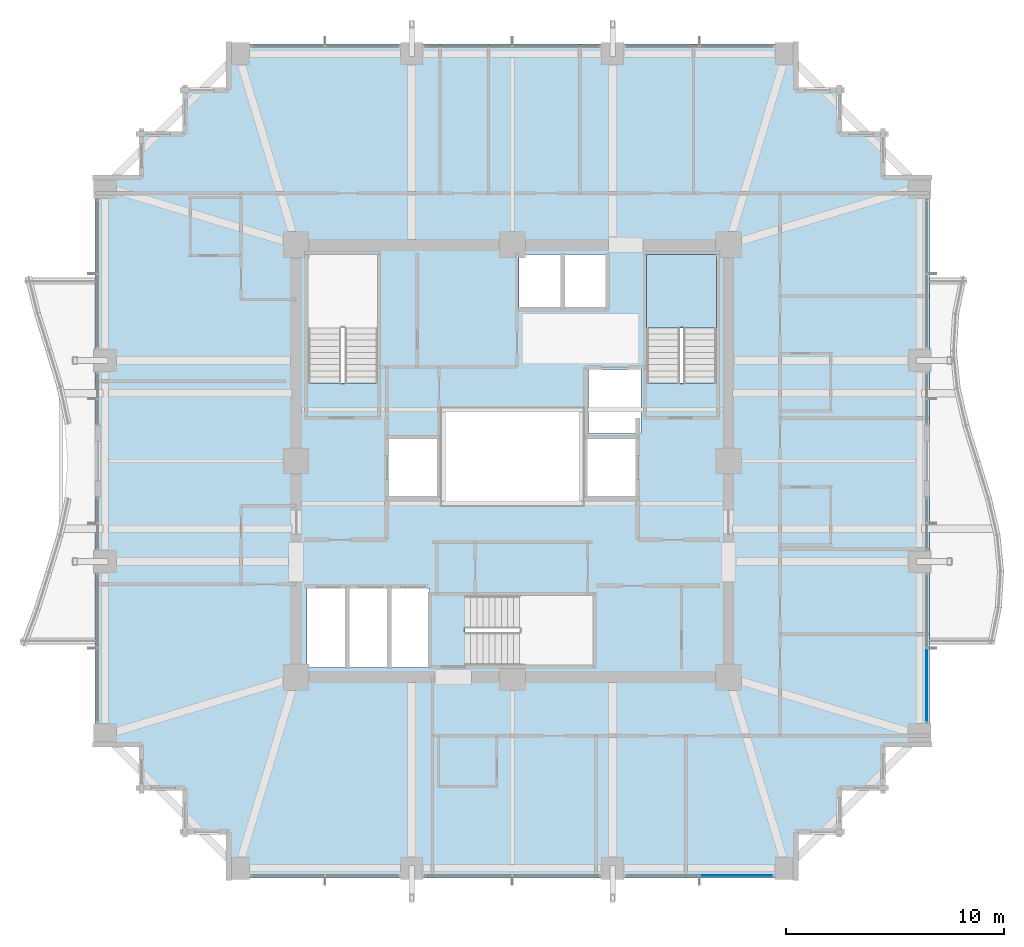
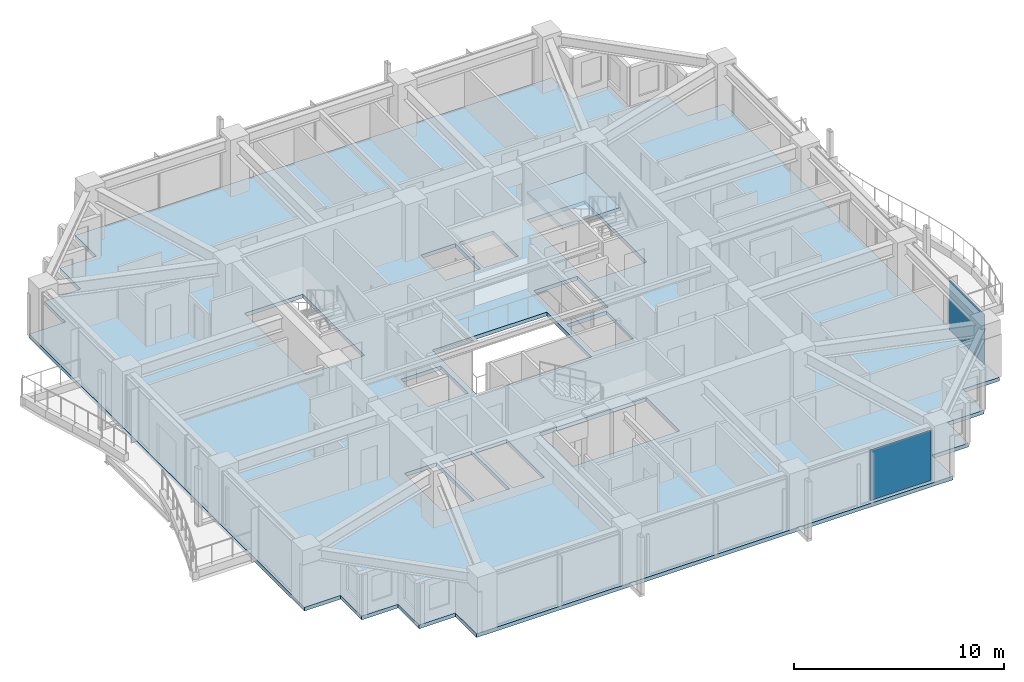
# One storey, part 26 of 35: 2 plates, 2 slabs, 3 elements without a shape of their own.
"""IFC4 building model written with IfcOpenShell, lengths in metres."""

import ifcopenshell
import ifcopenshell.guid

model = None  # the IFC model being written
_history = None  # IfcOwnerHistory: only IFC2X3 demands one
_inside = {}  # id of a spatial element -> (the spatial element, [elements in it])
_under = {}  # id of a project, library or spatial element -> (it, [spatial elements below it])
_declared = {}  # id of a project -> (the project, [libraries it declares])
_typed = {}  # id of a type object -> (the type object, [elements of that type])
_made_of = {}  # id of a material, layer set ... -> (it, [elements and type objects made of it])


def new_model(schema):
    """Start an empty IFC model of exactly this schema.

    Asked for "IFC4X3", IfcOpenShell would pick the latest addendum, in which some entities
    have other attributes; the version numbers below select the first issue.
    IFC2X3 requires an IfcOwnerHistory on every rooted entity: one is made here for all.
    """
    global model, _history
    if schema == "IFC4X3":
        model = ifcopenshell.file(schema_version=(4, 3, 0, 0))
    else:
        model = ifcopenshell.file(schema=schema)
    _inside.clear()
    _under.clear()
    _declared.clear()
    _typed.clear()
    _made_of.clear()
    _history = None
    if model.schema == "IFC2X3":
        org = make("IfcOrganization", Name="unknown")
        user = make(
            "IfcPersonAndOrganization",
            ThePerson=make("IfcPerson", FamilyName="unknown"),
            TheOrganization=org,
        )
        app = make(
            "IfcApplication",
            ApplicationDeveloper=org,
            Version="unknown",
            ApplicationFullName="unknown",
            ApplicationIdentifier="unknown",
        )
        _history = make(
            "IfcOwnerHistory",
            OwningUser=user,
            OwningApplication=app,
            ChangeAction="ADDED",
            CreationDate=0,
        )
    return model


def make(cls, **values):
    """One entity of the class cls with the attributes given. An attribute that is None is left unset."""
    return model.create_entity(
        cls, **{name: value for name, value in values.items() if value is not None}
    )


def rooted(cls, **values):
    """An entity with a GlobalId (a new one), such as an element, a storey or a relation."""
    return make(cls, GlobalId=ifcopenshell.guid.new(), OwnerHistory=_history, **values)


def si_unit(unit_type, name, prefix=None):
    """IfcSIUnit, for example si_unit("LENGTHUNIT", "METRE", prefix="MILLI")."""
    return make("IfcSIUnit", UnitType=unit_type, Prefix=prefix, Name=name)


def assignment(units):
    """IfcUnitAssignment: the units of a project."""
    return None if units is None else make("IfcUnitAssignment", Units=units)


def point(xyz):
    """IfcCartesianPoint."""
    return None if xyz is None else make("IfcCartesianPoint", Coordinates=xyz)


def direction(xyz):
    """IfcDirection."""
    return None if xyz is None else make("IfcDirection", DirectionRatios=xyz)


def frame(location, z_axis=None, x_axis=None):
    """IfcAxis2Placement3D, a coordinate frame: its origin and axes. An axis left out is left unset."""
    return make(
        "IfcAxis2Placement3D",
        Location=point(location),
        Axis=direction(z_axis),
        RefDirection=direction(x_axis),
    )


def frame_2d(location, x_axis=None):
    """IfcAxis2Placement2D, a coordinate frame in the plane: its origin and x axis."""
    return make(
        "IfcAxis2Placement2D", Location=point(location), RefDirection=direction(x_axis)
    )


def origin():
    """The frame at (0, 0, 0) with its axes left unset."""
    return frame((0.0, 0.0, 0.0))


def origin_2d():
    """The frame at (0, 0) in the plane with its x axis left unset."""
    return frame_2d((0.0, 0.0))


def place(relative_to, where):
    """IfcLocalPlacement: puts the frame where relative to a parent placement (None: the world)."""
    return make(
        "IfcLocalPlacement", PlacementRelTo=relative_to, RelativePlacement=where
    )


def context(
    kind, dimensions, precision=None, world=None, true_north=None, identifier=None
):
    """IfcGeometricRepresentationContext, for example the 3D "Model" context."""
    return make(
        "IfcGeometricRepresentationContext",
        ContextIdentifier=identifier,
        ContextType=kind,
        CoordinateSpaceDimension=dimensions,
        Precision=precision,
        WorldCoordinateSystem=world,
        TrueNorth=true_north,
    )


def subcontext(parent, identifier, kind, view, scale=None):
    """IfcGeometricRepresentationSubContext, for example "Body" below "Model"."""
    return make(
        "IfcGeometricRepresentationSubContext",
        ContextIdentifier=identifier,
        ContextType=kind,
        ParentContext=parent,
        TargetScale=scale,
        TargetView=view,
    )


def project(units=None, contexts=None):
    """IfcProject with its units and contexts."""
    return rooted(
        "IfcProject",
        Name="project",
        RepresentationContexts=contexts,
        UnitsInContext=assignment(units),
    )


def spatial(cls, under=None, at=None, **own):
    """A site, building, storey or space (cls), placed at a placement, below another one or the project."""
    s = rooted(cls, ObjectPlacement=at, **own)
    if under is not None:
        _under.setdefault(under.id(), (under, []))[1].append(s)
    return s


def polyline(points):
    """IfcPolyline through the points."""
    return make("IfcPolyline", Points=[point(p) for p in points])


def profile(cls, at=None, kind="AREA", **sizes):
    """A parametric profile (cls). Its sizes go by their IFC names, for example OverallWidth=200.0."""
    return make(cls, ProfileType=kind, Position=at, **sizes)


def rectangle(**sizes):
    """IfcRectangleProfileDef."""
    return profile("IfcRectangleProfileDef", **sizes)


def outline(outer, holes=None, kind="AREA"):
    """IfcArbitraryClosedProfileDef: a profile drawn as a closed curve; with holes, ...WithVoids."""
    if holes is None:
        return make("IfcArbitraryClosedProfileDef", ProfileType=kind, OuterCurve=outer)
    return make(
        "IfcArbitraryProfileDefWithVoids",
        ProfileType=kind,
        OuterCurve=outer,
        InnerCurves=holes,
    )


def extrude(swept, where, along, depth):
    """IfcExtrudedAreaSolid: the profile swept, set in the frame where, extruded along a direction by depth."""
    return make(
        "IfcExtrudedAreaSolid",
        SweptArea=swept,
        Position=where,
        ExtrudedDirection=direction(along),
        Depth=depth,
    )


def shape(context_of_items, identifier, shape_type, items):
    """IfcShapeRepresentation: the items that make up one representation, for example the "Body"."""
    return make(
        "IfcShapeRepresentation",
        ContextOfItems=context_of_items,
        RepresentationIdentifier=identifier,
        RepresentationType=shape_type,
        Items=items,
    )


def material(Name=None, Category=None):
    """IfcMaterial."""
    return make("IfcMaterial", Name=Name, Category=Category)


def layer(
    of_material, thickness, ventilated=None, Name=None, Category=None, Priority=None
):
    """IfcMaterialLayer: one layer of a wall or slab, of a material (None: an air gap)."""
    return make(
        "IfcMaterialLayer",
        Material=of_material,
        LayerThickness=thickness,
        IsVentilated=ventilated,
        Name=Name,
        Category=Category,
        Priority=Priority,
    )


def layer_set(layers, Name=None):
    """IfcMaterialLayerSet."""
    return make("IfcMaterialLayerSet", MaterialLayers=layers, LayerSetName=Name)


def made_of(thing, what):
    """Note that an element or type object is made of a material, layer set ...; save() writes the relation."""
    if what is not None:
        _made_of.setdefault(what.id(), (what, []))[1].append(thing)
    return thing


def type_object(cls, material=None, **own):
    """A type object (cls), such as IfcWallType, which elements share."""
    return made_of(rooted(cls, **own), material)


def element(
    cls,
    number,
    at=None,
    inside=None,
    cuts=None,
    type_object=None,
    material=None,
    context=None,
    identifier="Body",
    shape_type=None,
    held_by="IfcProductDefinitionShape",
    body=None,
    shapes=None,
    **own,
):
    """One element of the class cls, such as IfcWall. Its Tag is "e" and its number.

    at: its placement. inside: the storey or other place that contains it. cuts: it is an
    opening in that element (IfcRelVoidsElement). A single representation is given by context,
    identifier, shape_type and body (its items); several are given by shapes. held_by: the class
    of the entity that holds the representations. save() writes the other relations.
    """
    e = rooted(cls, Tag="e%d" % number, ObjectPlacement=at, **own)
    if body is not None:
        shapes = [shape(context, identifier, shape_type, body)]
    if shapes is not None:
        e.Representation = make(held_by, Representations=shapes)
    if inside is not None:
        _inside.setdefault(inside.id(), (inside, []))[1].append(e)
    if cuts is not None:
        rooted(
            "IfcRelVoidsElement", RelatingBuildingElement=cuts, RelatedOpeningElement=e
        )
    if type_object is not None:
        _typed.setdefault(type_object.id(), (type_object, []))[1].append(e)
    return made_of(e, material)


def aggregate(whole, parts):
    """IfcRelAggregates: a whole, such as a stair, and the parts it consists of."""
    return rooted("IfcRelAggregates", RelatingObject=whole, RelatedObjects=parts)


def save(model, path):
    """Write the relations noted so far, then the file.

    IfcRelAggregates (storeys below a building ...), IfcRelContainedInSpatialStructure (elements
    in a storey), IfcRelDefinesByType, IfcRelAssociatesMaterial and IfcRelDeclares: one each for
    every whole, place, type object, material and project.
    """
    for whole, parts in _under.values():
        aggregate(whole, parts)
    for where, things in _inside.values():
        rooted(
            "IfcRelContainedInSpatialStructure",
            RelatedElements=things,
            RelatingStructure=where,
        )
    for kind, things in _typed.values():
        rooted("IfcRelDefinesByType", RelatedObjects=things, RelatingType=kind)
    for what, things in _made_of.values():
        rooted("IfcRelAssociatesMaterial", RelatedObjects=things, RelatingMaterial=what)
    for by, libraries in _declared.values():
        rooted("IfcRelDeclares", RelatingContext=by, RelatedDefinitions=libraries)
    model.write(path)


model = new_model("IFC4")

# Units and contexts
model_context = context("Model", 3, precision=1e-05, world=origin(), true_north=direction((0.0, 1.0)))
body_context = subcontext(model_context, "Body", "Model", "MODEL_VIEW")
ifc_project = project(units=[si_unit("LENGTHUNIT", "METRE"), si_unit("AREAUNIT", "SQUARE_METRE"), si_unit("VOLUMEUNIT", "CUBIC_METRE"), si_unit("PLANEANGLEUNIT", "RADIAN"), si_unit("MASSUNIT", "GRAM", prefix="KILO")], contexts=[model_context])

# Site, building, storey
site_placement = place(None, origin())
site = spatial("IfcSite", under=ifc_project, at=site_placement, CompositionType="ELEMENT")
building_placement = place(site_placement, origin())
building = spatial("IfcBuilding", under=site, at=building_placement, Name="Kolvaren Belvedere", CompositionType="ELEMENT")
storey_placement = place(building_placement, frame((0.0, 0.0, 115.10009765625)))
storey = spatial("IfcBuildingStorey", under=building, at=storey_placement, Name="L33", CompositionType="ELEMENT", Elevation=115.10009765625)

# Curtain wall, plate
ifc_material_1 = material(Name="Anodised pale-metal aluminium AA 6063-T6", Category="aluminium")
curtain_wall_type = type_object("IfcCurtainWallType", Name="CW-Z3-WAIST", PredefinedType="NOTDEFINED", material=ifc_material_1)
curtain_wall_1_placement = place(storey_placement, origin())
curtain_wall_1 = element("IfcCurtainWall", 1, at=curtain_wall_1_placement, inside=storey, type_object=curtain_wall_type, Name="L33 Unitised Curtain Wall FCW-L33-S-B1", PredefinedType="NOTDEFINED")
ifc_material_2 = material(Name="Low-iron triple insulated glass", Category="glass")
ifc_layer_1 = layer(ifc_material_2, 0.028076171875)
ifc_layer_set_1 = layer_set([ifc_layer_1], Name="Low-iron triple insulated glass")
plate_type = type_object("IfcPlateType", Name="CW-PNL-VIS28", PredefinedType="CURTAIN_PANEL", material=ifc_layer_set_1)
plate_1_placement = place(storey_placement, frame((10.273681640625, -18.97998046875, 0.079833984375), z_axis=(0.0, 0.0, 1.0), x_axis=(-1.0, 0.0, 0.0)))
plate_1 = element("IfcPlate", 2, at=plate_1_placement, type_object=plate_type, Name="FCW-L33-S-B1 Vision Glazing Panel 1", PredefinedType="CURTAIN_PANEL", context=body_context, shape_type="SweptSolid", body=[
    extrude(rectangle(XDim=3.3173828125, YDim=0.028076171875, at=origin_2d()), origin(), (0.0, 0.0, 1.0), 2.919921875),
])
aggregate(curtain_wall_1, [plate_1])

curtain_wall_2_placement = place(storey_placement, origin())
curtain_wall_2 = element("IfcCurtainWall", 3, at=curtain_wall_2_placement, inside=storey, type_object=curtain_wall_type, Name="L33 Unitised Curtain Wall FCW-L33-E2-B2", PredefinedType="NOTDEFINED")
plate_2_placement = place(storey_placement, frame((18.97998046875, -10.273681640625, 0.079833984375), z_axis=(0.0, 0.0, 1.0), x_axis=(0.0, -1.0, 0.0)))
plate_2 = element("IfcPlate", 4, at=plate_2_placement, type_object=plate_type, Name="FCW-L33-E2-B2 Vision Glazing Panel 2", PredefinedType="CURTAIN_PANEL", context=body_context, shape_type="SweptSolid", body=[
    extrude(rectangle(XDim=3.3173828125, YDim=0.028076171875, at=origin_2d()), origin(), (0.0, 0.0, 1.0), 2.919921875),
])
aggregate(curtain_wall_2, [plate_2])

# Slab
ifc_material_3 = material(Name="Concrete C50/60", Category="concrete")
ifc_layer_2 = layer(ifc_material_3, 0.219970703125)
ifc_layer_set_2 = layer_set([ifc_layer_2], Name="Concrete C50/60")
slab_type_1 = type_object("IfcSlabType", Name="SL-FLR-220", PredefinedType="FLOOR", material=ifc_layer_set_2)
slab_1_placement = place(storey_placement, frame((0.0, 0.0, -0.22021484375)))
element("IfcSlab", 5, at=slab_1_placement, inside=storey, type_object=slab_type_1, Name="L33 Primary Structural Slab", PredefinedType="FLOOR", context=body_context, shape_type="SweptSolid", body=[
    extrude(outline(polyline([(-13.10009765625, -19.10009765625), (13.10009765625, -19.10009765625), (13.10009765625, -17.10009765625), (15.10009765625, -17.10009765625), (15.10009765625, -15.10009765625), (17.10009765625, -15.10009765625), (17.10009765625, -13.10009765625), (19.10009765625, -13.10009765625), (19.10009765625, 13.10009765625), (17.10009765625, 13.10009765625), (17.10009765625, 15.10009765625), (15.10009765625, 15.10009765625), (15.10009765625, 17.10009765625), (13.10009765625, 17.10009765625), (13.10009765625, 19.10009765625), (-13.10009765625, 19.10009765625), (-13.10009765625, 17.10009765625), (-15.10009765625, 17.10009765625), (-15.10009765625, 15.10009765625), (-17.10009765625, 15.10009765625), (-17.10009765625, 13.10009765625), (-19.10009765625, 13.10009765625), (-19.10009765625, -13.10009765625), (-17.10009765625, -13.10009765625), (-17.10009765625, -15.10009765625), (-15.10009765625, -15.10009765625), (-15.10009765625, -17.10009765625), (-13.10009765625, -17.10009765625), (-13.10009765625, -19.10009765625)]), holes=[polyline([(-9.35009765625, 3.580078125), (-6.159912109375, 3.580078125), (-6.159912109375, 9.449951171875), (-9.35009765625, 9.449951171875), (-9.35009765625, 3.580078125)]), polyline([(6.159912109375, 3.580078125), (9.35009765625, 3.580078125), (9.35009765625, 9.449951171875), (6.159912109375, 9.449951171875), (6.159912109375, 3.580078125)]), polyline([(-2.169921875, -9.35009765625), (3.699951171875, -9.35009765625), (3.699951171875, -6.159912109375), (-2.169921875, -6.159912109375), (-2.169921875, -9.35009765625)]), polyline([(-5.64990234375, -1.60009765625), (-3.449951171875, -1.60009765625), (-3.449951171875, 1.0), (-5.64990234375, 1.0), (-5.64990234375, -1.60009765625)]), polyline([(3.5, 1.25), (5.89990234375, 1.25), (5.89990234375, 4.199951171875), (3.5, 4.199951171875), (3.5, 1.25)]), polyline([(3.449951171875, -1.60009765625), (5.64990234375, -1.60009765625), (5.64990234375, 1.0), (3.449951171875, 1.0), (3.449951171875, -1.60009765625)]), polyline([(-9.39990234375, -9.449951171875), (-7.64990234375, -9.449951171875), (-7.64990234375, -5.85009765625), (-9.39990234375, -5.85009765625), (-9.39990234375, -9.449951171875)]), polyline([(-7.469970703125, -9.449951171875), (-5.719970703125, -9.449951171875), (-5.719970703125, -5.85009765625), (-7.469970703125, -5.85009765625), (-7.469970703125, -9.449951171875)]), polyline([(-5.5400390625, -9.449951171875), (-3.7900390625, -9.449951171875), (-3.7900390625, -5.85009765625), (-5.5400390625, -5.85009765625), (-5.5400390625, -9.449951171875)]), polyline([(0.320068359375, 7.050048828125), (2.219970703125, 7.050048828125), (2.219970703125, 9.449951171875), (0.320068359375, 9.449951171875), (0.320068359375, 7.050048828125)]), polyline([(2.39990234375, 7.050048828125), (4.300048828125, 7.050048828125), (4.300048828125, 9.449951171875), (2.39990234375, 9.449951171875), (2.39990234375, 7.050048828125)]), polyline([(-3.14990234375, -1.949951171875), (3.14990234375, -1.949951171875), (3.14990234375, 2.35009765625), (-3.14990234375, 2.35009765625), (-3.14990234375, -1.949951171875)])]), origin(), (0.0, 0.0, 1.0), 0.22021484375),
])

# Stair, slab
ifc_material_4 = material(Name="Concrete C50/60", Category="concrete")
stair_type = type_object("IfcStairType", Name="ST-CORE-1520", PredefinedType="HALF_TURN_STAIR", material=ifc_material_4)
stair_placement = place(storey_placement, origin())
stair = element("IfcStair", 6, at=stair_placement, inside=storey, type_object=stair_type, Name="L33 Protected Exit Stair ST-2", PredefinedType="HALF_TURN_STAIR")
ifc_material_5 = material(Name="Concrete C50/60", Category="concrete")
ifc_layer_3 = layer(ifc_material_5, 0.260009765625)
ifc_layer_set_3 = layer_set([ifc_layer_3], Name="Concrete C50/60")
slab_type_2 = type_object("IfcSlabType", Name="SL-LAND-260", PredefinedType="LANDING", material=ifc_layer_set_3)
slab_2_placement = place(storey_placement, frame((0.0, 0.0, 1.449951171875)))
slab_2 = element("IfcSlab", 7, at=slab_2_placement, type_object=slab_type_2, Name="ST-2 landing 1", PredefinedType="LANDING", context=body_context, shape_type="SweptSolid", body=[
    extrude(outline(polyline([(9.35009765625, 6.090087890625), (9.35009765625, 9.449951171875), (6.159912109375, 9.449951171875), (6.159912109375, 6.090087890625), (9.35009765625, 6.090087890625)])), origin(), (0.0, 0.0, 1.0), 0.199951171875),
])
aggregate(stair, [slab_2])

save(model, "model.ifc")
